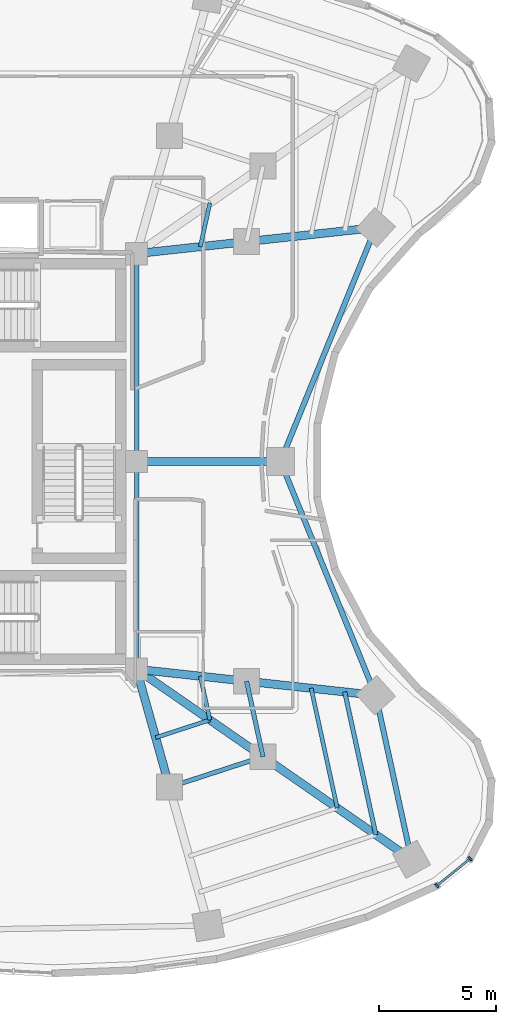
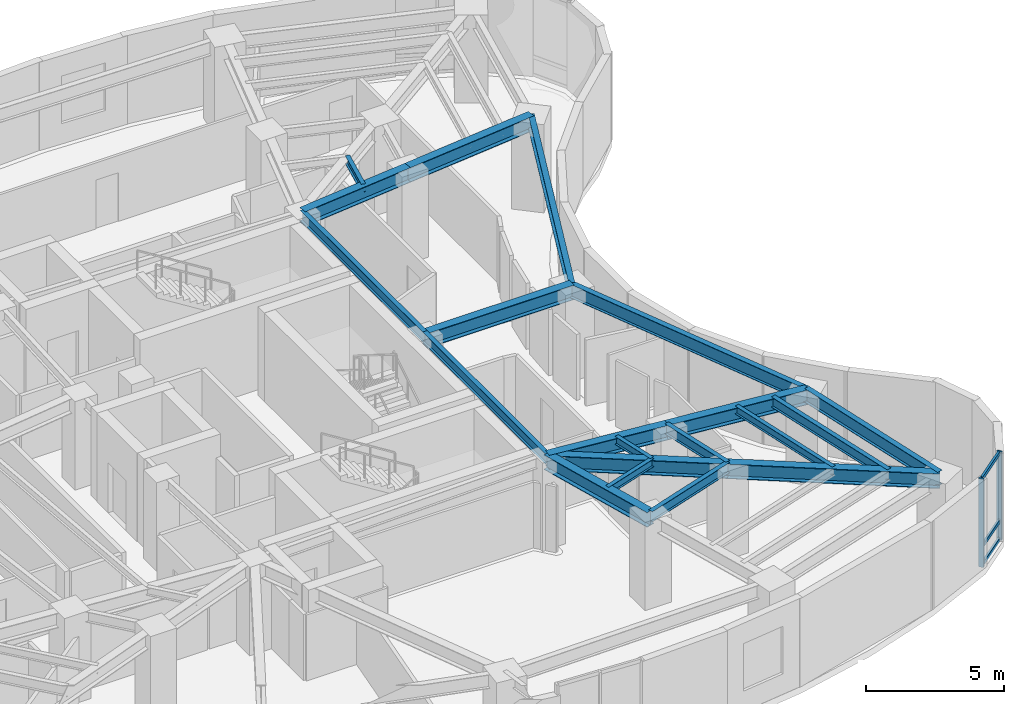
# One storey, part 4 of 14: 20 beams, 5 members, 1 element without a shape of its own.
"""IFC4 building model written with IfcOpenShell, lengths in metres."""

from ifc_helpers import new_model, si_unit, direction, frame, origin, origin_2d, place, context, subcontext, project, spatial, rectangle, i_section, extrude, material, layer, layer_set, material_profile, profile_set, type_object, element, aggregate, save


model = new_model("IFC4")

# Units and contexts
model_context = context("Model", 3, precision=1e-05, world=origin(), true_north=direction((0.0, 1.0)))
body_context = subcontext(model_context, "Body", "Model", "MODEL_VIEW")
ifc_project = project(units=[si_unit("LENGTHUNIT", "METRE"), si_unit("AREAUNIT", "SQUARE_METRE"), si_unit("VOLUMEUNIT", "CUBIC_METRE"), si_unit("PLANEANGLEUNIT", "RADIAN"), si_unit("MASSUNIT", "GRAM", prefix="KILO")], contexts=[model_context])

# Site, building, storey
site_placement = place(None, origin())
site = spatial("IfcSite", under=ifc_project, at=site_placement, CompositionType="ELEMENT")
building_placement = place(site_placement, origin())
building = spatial("IfcBuilding", under=site, at=building_placement, Name="Korentha Bioscience Tower", CompositionType="ELEMENT")
storey_placement = place(building_placement, frame((0.0, 0.0, 119.39990234375)))
storey = spatial("IfcBuildingStorey", under=building, at=storey_placement, Name="L27", CompositionType="ELEMENT", Elevation=119.39990234375)

# Beams
ifc_material_1 = material(Name="Steel S355", Category="steel")
ifc_material_profile_1 = material_profile(ifc_material_1, i_section(OverallWidth=0.18994140625, OverallDepth=0.45703125, WebThickness=0.009033203125, FlangeThickness=0.014404296875, at=origin_2d()), Name="Steel S355")
ifc_profile_set_1 = profile_set([ifc_material_profile_1], Name="Steel S355 (MB-460)")
beam_type_1 = type_object("IfcBeamType", Name="Mid-Ring Tie Girder W460x74", PredefinedType="BEAM", material=ifc_profile_set_1)
beam_1_placement = place(storey_placement, frame((38.954833984375, 13.129150390625, 3.671630859375), z_axis=(0.95087582253, 0.309572560361, 0.0), x_axis=(-0.309572560361, 0.95087582253, 0.0)))
element("IfcBeam", 1, at=beam_1_placement, inside=storey, type_object=beam_type_1, Name="L27 Mid-Ring Tie Girder 12", PredefinedType="BEAM", context=body_context, shape_type="SweptSolid", body=[
    extrude(i_section(OverallWidth=0.18994140625, OverallDepth=0.45703125, WebThickness=0.009033203125, FlangeThickness=0.014404296875, at=origin_2d()), origin(), (0.0, 0.0, 1.0), 4.186767578125),
])
beam_2_placement = place(storey_placement, frame((42.93603515625, 14.42529296875, 3.671630859375), z_axis=(-0.212928773299, 0.977067724112, 0.0), x_axis=(-0.977067724112, -0.212928773299, 0.0)))
element("IfcBeam", 2, at=beam_2_placement, inside=storey, type_object=beam_type_1, Name="L27 Mid-Ring Tie Girder 13", PredefinedType="BEAM", context=body_context, shape_type="SweptSolid", body=[
    extrude(i_section(OverallWidth=0.18994140625, OverallDepth=0.45703125, WebThickness=0.009033203125, FlangeThickness=0.014404296875, at=origin_2d()), origin(), (0.0, 0.0, 1.0), 3.28955078125),
])
for number, where, z_axis, x_axis, name in (
    (3, (37.550048828125, 18.14990234375, 3.671630859375), (0.0, 1.0, 0.0), (-1.0, 0.0, 0.0), "L27 Core Ring Tie Girder 06"),
    (4, (37.550048828125, 27.0, 3.671630859375), (0.0, 1.0, 0.0), (-1.0, 0.0, 0.0), "L27 Core Ring Tie Girder 07"),
):
    element("IfcBeam", number, at=place(storey_placement, frame(where, z_axis=z_axis, x_axis=x_axis)), inside=storey, type_object=beam_type_1, Name=name, PredefinedType="BEAM", context=body_context, shape_type="SweptSolid", body=[
        extrude(i_section(OverallWidth=0.18994140625, OverallDepth=0.45703125, WebThickness=0.009033203125, FlangeThickness=0.014404296875, at=origin_2d()), origin(), (0.0, 0.0, 1.0), 8.85009765625),
    ])

# Curtain wall, members
ifc_material_2 = material(Name="Thermally Broken Aluminium Frame", Category="aluminium")
ifc_layer = layer(ifc_material_2, 0.219970703125, Name="Thermally Broken Aluminium Frame")
ifc_layer_set = layer_set([ifc_layer], Name="Thermally Broken Aluminium Frame (CW-T1)")
curtain_wall_type = type_object("IfcCurtainWallType", Name="Standard Bioscience Lab Unitised Curtain Wall CW-T1", PredefinedType="USERDEFINED", material=ifc_layer_set)
curtain_wall_placement = place(storey_placement, origin())
curtain_wall = element("IfcCurtainWall", 5, at=curtain_wall_placement, inside=storey, type_object=curtain_wall_type, Name="L27 Curtain Wall 37", ObjectType="UNITISED", PredefinedType="USERDEFINED")
ifc_material_3 = material(Name="Anodised Aluminium 6063-T6", Category="aluminium")
ifc_material_profile_2 = material_profile(ifc_material_3, rectangle(XDim=0.090087890625, YDim=0.199951171875, at=origin_2d()), Name="Anodised Aluminium 6063-T6")
ifc_profile_set_2 = profile_set([ifc_material_profile_2], Name="Anodised Aluminium 6063-T6 (CW-MUL)")
member_type_1 = type_object("IfcMemberType", Name="Mullion RECT 90x200", PredefinedType="MULLION", material=ifc_profile_set_2)
member_1_placement = place(storey_placement, frame((50.337158203125, 8.931884765625, 0.0), z_axis=(0.0, 0.0, 1.0), x_axis=(0.777315301098, 0.629111216463, 0.0)))
member_1 = element("IfcMember", 6, at=member_1_placement, type_object=member_type_1, Name="CW-L27-37 Mullion 1", PredefinedType="MULLION", context=body_context, shape_type="SweptSolid", body=[
    extrude(rectangle(XDim=0.090087890625, YDim=0.199951171875, at=origin_2d()), origin(), (0.0, 0.0, 1.0), 3.900146484375),
])
member_2_placement = place(storey_placement, frame((51.7578125, 10.08154296875, 0.0), z_axis=(0.0, 0.0, 1.0), x_axis=(0.777315301098, 0.629111216463, 0.0)))
member_2 = element("IfcMember", 7, at=member_2_placement, type_object=member_type_1, Name="CW-L27-37 Mullion 2", PredefinedType="MULLION", context=body_context, shape_type="SweptSolid", body=[
    extrude(rectangle(XDim=0.090087890625, YDim=0.199951171875, at=origin_2d()), origin(), (0.0, 0.0, 1.0), 3.900146484375),
])

# Beams
ifc_material_profile_3 = material_profile(ifc_material_1, i_section(OverallWidth=0.22802734375, OverallDepth=0.60791015625, WebThickness=0.01123046875, FlangeThickness=0.017333984375, at=origin_2d()), Name="Steel S355")
ifc_profile_set_3 = profile_set([ifc_material_profile_3], Name="Steel S355 (SB-610)")
beam_type_2 = type_object("IfcBeamType", Name="Perimeter Ring Spandrel Girder W610x113", PredefinedType="SPANDREL", material=ifc_profile_set_3)
beam_3_placement = place(storey_placement, frame((49.2587890625, 10.052978515625, 3.59619140625), z_axis=(-0.212927102256, 0.977068088275, 0.0), x_axis=(-0.977068088275, -0.212927102256, 0.0)))
element("IfcBeam", 8, at=beam_3_placement, inside=storey, type_object=beam_type_2, Name="L27 Perimeter Spandrel Girder 13", PredefinedType="SPANDREL", context=body_context, shape_type="SweptSolid", body=[
    extrude(i_section(OverallWidth=0.22802734375, OverallDepth=0.60791015625, WebThickness=0.01123046875, FlangeThickness=0.017333984375, at=origin_2d()), origin(), (0.0, 0.0, 1.0), 7.1513671875),
])
for number, where, z_axis, x_axis, name in (
    (9, (47.736083984375, 17.040283203125, 3.59619140625), (-0.37709856037, 0.926173134876, 0.0), (-0.926173134876, -0.37709856037, 0.0), "L27 Perimeter Spandrel Girder 14"),
    (10, (43.680908203125, 27.0, 3.59619140625), (0.37709856037, 0.926173134876, 0.0), (-0.926173134876, 0.37709856037, 0.0), "L27 Perimeter Spandrel Girder 15"),
):
    element("IfcBeam", number, at=place(storey_placement, frame(where, z_axis=z_axis, x_axis=x_axis)), inside=storey, type_object=beam_type_2, Name=name, PredefinedType="SPANDREL", context=body_context, shape_type="SweptSolid", body=[
        extrude(i_section(OverallWidth=0.22802734375, OverallDepth=0.60791015625, WebThickness=0.01123046875, FlangeThickness=0.017333984375, at=origin_2d()), origin(), (0.0, 0.0, 1.0), 10.753662109375),
    ])
ifc_material_profile_4 = material_profile(ifc_material_1, i_section(OverallWidth=0.18994140625, OverallDepth=0.45703125, WebThickness=0.009033203125, FlangeThickness=0.014404296875, at=origin_2d()), Name="Steel S355")
ifc_profile_set_4 = profile_set([ifc_material_profile_4], Name="Steel S355 (RB-460)")
beam_type_3 = type_object("IfcBeamType", Name="Radial Laboratory Beam W460x74", PredefinedType="BEAM", material=ifc_profile_set_4)
beam_4_placement = place(storey_placement, frame((47.7412109375, 11.1025390625, 3.671630859375), z_axis=(-0.21290837934, 0.977072168269, 0.0), x_axis=(-0.977072168269, -0.21290837934, 0.0)))
element("IfcBeam", 11, at=beam_4_placement, inside=storey, type_object=beam_type_3, Name="L27 Secondary Floor Beam JSTO-13", PredefinedType="BEAM", context=body_context, shape_type="SweptSolid", body=[
    extrude(i_section(OverallWidth=0.18994140625, OverallDepth=0.45703125, WebThickness=0.009033203125, FlangeThickness=0.014404296875, at=origin_2d()), origin(), (0.0, 0.0, 1.0), 6.224365234375),
])
ifc_material_profile_5 = material_profile(ifc_material_1, i_section(OverallWidth=0.35009765625, OverallDepth=0.64990234375, WebThickness=0.01611328125, FlangeThickness=0.02490234375, at=origin_2d()), Name="Steel S355")
ifc_profile_set_5 = profile_set([ifc_material_profile_5], Name="Steel S355 (RB-650)")
beam_type_4 = type_object("IfcBeamType", Name="Radial Laboratory Girder CVS 650x208", PredefinedType="BEAM", material=ifc_profile_set_5)
beam_5_placement = place(storey_placement, frame((37.550048828125, 18.14990234375, 3.5751953125), z_axis=(0.269447542125, -0.96301506844, 0.0), x_axis=(0.96301506844, 0.269447542125, 0.0)))
element("IfcBeam", 12, at=beam_5_placement, inside=storey, type_object=beam_type_4, Name="L27 Inner Radial Girder 12", PredefinedType="BEAM", context=body_context, shape_type="SweptSolid", body=[
    extrude(i_section(OverallWidth=0.35009765625, OverallDepth=0.64990234375, WebThickness=0.01611328125, FlangeThickness=0.02490234375, at=origin_2d()), origin(), (0.0, 0.0, 1.0), 5.213623046875),
])
beam_6_placement = place(storey_placement, frame((37.550048828125, 18.14990234375, 3.5751953125), z_axis=(0.822488699387, -0.568781451333, 0.0), x_axis=(0.568781451333, 0.822488699387, 0.0)))
element("IfcBeam", 13, at=beam_6_placement, inside=storey, type_object=beam_type_4, Name="L27 Inner Radial Girder 13", PredefinedType="BEAM", context=body_context, shape_type="SweptSolid", body=[
    extrude(i_section(OverallWidth=0.35009765625, OverallDepth=0.64990234375, WebThickness=0.01611328125, FlangeThickness=0.02490234375, at=origin_2d()), origin(), (0.0, 0.0, 1.0), 6.54833984375),
])
beam_7_placement = place(storey_placement, frame((42.93603515625, 14.42529296875, 3.5751953125), z_axis=(0.822495056204, -0.568772258922, 0.0), x_axis=(0.568772258922, 0.822495056204, 0.0)))
element("IfcBeam", 14, at=beam_7_placement, inside=storey, type_object=beam_type_4, Name="L27 Outer Radial Girder 13", PredefinedType="BEAM", context=body_context, shape_type="SweptSolid", body=[
    extrude(i_section(OverallWidth=0.35009765625, OverallDepth=0.64990234375, WebThickness=0.01611328125, FlangeThickness=0.02490234375, at=origin_2d()), origin(), (0.0, 0.0, 1.0), 7.687255859375),
])
beam_8_placement = place(storey_placement, frame((37.550048828125, 18.14990234375, 3.5751953125), z_axis=(0.994117092476, -0.108310694058, 0.0), x_axis=(0.108310694058, 0.994117092476, 0.0)))
element("IfcBeam", 15, at=beam_8_placement, inside=storey, type_object=beam_type_4, Name="L27 Inner Radial Girder 14", PredefinedType="BEAM", context=body_context, shape_type="SweptSolid", body=[
    extrude(i_section(OverallWidth=0.35009765625, OverallDepth=0.64990234375, WebThickness=0.01611328125, FlangeThickness=0.02490234375, at=origin_2d()), origin(), (0.0, 0.0, 1.0), 4.71337890625),
])
beam_9_placement = place(storey_placement, frame((42.235595703125, 17.639404296875, 3.5751953125), z_axis=(0.994120325557, -0.108281015487, 0.0), x_axis=(0.108281015487, 0.994120325557, 0.0)))
element("IfcBeam", 16, at=beam_9_placement, inside=storey, type_object=beam_type_4, Name="L27 Outer Radial Girder 14", PredefinedType="BEAM", context=body_context, shape_type="SweptSolid", body=[
    extrude(i_section(OverallWidth=0.35009765625, OverallDepth=0.64990234375, WebThickness=0.01611328125, FlangeThickness=0.02490234375, at=origin_2d()), origin(), (0.0, 0.0, 1.0), 5.532958984375),
])
beam_10_placement = place(storey_placement, frame((37.550048828125, 27.0, 3.5751953125), z_axis=(1.0, 0.0, 0.0), x_axis=(0.0, 1.0, 0.0)))
element("IfcBeam", 17, at=beam_10_placement, inside=storey, type_object=beam_type_4, Name="L27 Radial Girder 15", PredefinedType="BEAM", context=body_context, shape_type="SweptSolid", body=[
    extrude(i_section(OverallWidth=0.35009765625, OverallDepth=0.64990234375, WebThickness=0.01611328125, FlangeThickness=0.02490234375, at=origin_2d()), origin(), (0.0, 0.0, 1.0), 6.130859375),
])
beam_11_placement = place(storey_placement, frame((37.550048828125, 35.85009765625, 3.5751953125), z_axis=(0.994117092476, 0.108310694058, 0.0), x_axis=(-0.108310694058, 0.994117092476, 0.0)))
element("IfcBeam", 18, at=beam_11_placement, inside=storey, type_object=beam_type_4, Name="L27 Inner Radial Girder 16", PredefinedType="BEAM", context=body_context, shape_type="SweptSolid", body=[
    extrude(i_section(OverallWidth=0.35009765625, OverallDepth=0.64990234375, WebThickness=0.01611328125, FlangeThickness=0.02490234375, at=origin_2d()), origin(), (0.0, 0.0, 1.0), 4.71337890625),
])
beam_12_placement = place(storey_placement, frame((42.235595703125, 36.360595703125, 3.5751953125), z_axis=(0.994120325557, 0.108281015487, 0.0), x_axis=(-0.108281015487, 0.994120325557, 0.0)))
element("IfcBeam", 19, at=beam_12_placement, inside=storey, type_object=beam_type_4, Name="L27 Outer Radial Girder 16", PredefinedType="BEAM", context=body_context, shape_type="SweptSolid", body=[
    extrude(i_section(OverallWidth=0.35009765625, OverallDepth=0.64990234375, WebThickness=0.01611328125, FlangeThickness=0.02490234375, at=origin_2d()), origin(), (0.0, 0.0, 1.0), 5.532958984375),
])
ifc_material_profile_6 = material_profile(ifc_material_1, i_section(OverallWidth=0.1708984375, OverallDepth=0.35498046875, WebThickness=0.007080078125, FlangeThickness=0.01171875, at=origin_2d()), Name="Steel S355")
ifc_profile_set_6 = profile_set([ifc_material_profile_6], Name="Steel S355 (JB-360)")
beam_type_5 = type_object("IfcBeamType", Name="Secondary Laboratory Joist W360x51", PredefinedType="JOIST", material=ifc_profile_set_6)
beam_13_placement = place(storey_placement, frame((38.36474609375, 15.23779296875, 3.72265625), z_axis=(0.950852158547, 0.30964523666, 0.0), x_axis=(-0.30964523666, 0.950852158547, 0.0)))
element("IfcBeam", 20, at=beam_13_placement, inside=storey, type_object=beam_type_5, Name="L27 Inner Bay Joist 12", PredefinedType="JOIST", context=body_context, shape_type="SweptSolid", body=[
    extrude(i_section(OverallWidth=0.1708984375, OverallDepth=0.35498046875, WebThickness=0.007080078125, FlangeThickness=0.01171875, at=origin_2d()), origin(), (0.0, 0.0, 1.0), 2.428466796875),
])
beam_14_placement = place(storey_placement, frame((46.097412109375, 12.2392578125, 3.72265625), z_axis=(-0.212932493609, 0.977066913351, 0.0), x_axis=(-0.977066913351, -0.212932493609, 0.0)))
element("IfcBeam", 21, at=beam_14_placement, inside=storey, type_object=beam_type_5, Name="L27 Secondary Floor Beam JST-13", PredefinedType="JOIST", context=body_context, shape_type="SweptSolid", body=[
    extrude(i_section(OverallWidth=0.1708984375, OverallDepth=0.35498046875, WebThickness=0.007080078125, FlangeThickness=0.01171875, at=origin_2d()), origin(), (0.0, 0.0, 1.0), 5.22021484375),
])
for number, where, z_axis, x_axis, name in (
    (22, (40.673828125, 15.98974609375, 3.72265625), (-0.212918344001, 0.977069996872, 0.0), (-0.977069996872, -0.212918344001, 0.0), "L27 Inner Bay Joist 13"),
    (23, (40.267578125, 36.14599609375, 3.72265625), (0.212918344001, 0.977069996872, 0.0), (-0.977069996872, 0.212918344001, 0.0), "L27 Inner Bay Joist 16"),
):
    element("IfcBeam", number, at=place(storey_placement, frame(where, z_axis=z_axis, x_axis=x_axis)), inside=storey, type_object=beam_type_5, Name=name, PredefinedType="JOIST", context=body_context, shape_type="SweptSolid", body=[
        extrude(i_section(OverallWidth=0.1708984375, OverallDepth=0.35498046875, WebThickness=0.007080078125, FlangeThickness=0.01171875, at=origin_2d()), origin(), (0.0, 0.0, 1.0), 1.907958984375),
    ])

# Member
ifc_material_profile_7 = material_profile(ifc_material_3, rectangle(XDim=0.090087890625, YDim=0.159912109375, at=origin_2d()), Name="Anodised Aluminium 6063-T6")
ifc_profile_set_7 = profile_set([ifc_material_profile_7], Name="Anodised Aluminium 6063-T6 (CW-TRN)")
member_type_2 = type_object("IfcMemberType", Name="Transom RECT 90x160", PredefinedType="USERDEFINED", material=ifc_profile_set_7)
member_3_placement = place(storey_placement, frame((50.3720703125, 8.960205078125, 0.045166015625), z_axis=(0.777333214738, 0.629089082137, 0.0), x_axis=(-0.629089082137, 0.777333214738, 0.0)))
member_3 = element("IfcMember", 24, at=member_3_placement, type_object=member_type_2, Name="CW-L27-37 Bay 1 Transom 1", ObjectType="TRANSOM", PredefinedType="USERDEFINED", context=body_context, shape_type="SweptSolid", body=[
    extrude(rectangle(XDim=0.090087890625, YDim=0.159912109375, at=origin_2d()), origin(), (0.0, 0.0, 1.0), 1.737548828125),
])

member_4_placement = place(storey_placement, frame((50.3720703125, 8.960205078125, 0.85009765625), z_axis=(0.777333214738, 0.629089082137, 0.0), x_axis=(-0.629089082137, 0.777333214738, 0.0)))
member_4 = element("IfcMember", 25, at=member_4_placement, type_object=member_type_2, Name="CW-L27-37 Bay 1 Transom 2", ObjectType="TRANSOM", PredefinedType="USERDEFINED", context=body_context, shape_type="SweptSolid", body=[
    extrude(rectangle(XDim=0.090087890625, YDim=0.159912109375, at=origin_2d()), origin(), (0.0, 0.0, 1.0), 1.737548828125),
])

member_5_placement = place(storey_placement, frame((50.3720703125, 8.960205078125, 3.85498046875), z_axis=(0.777333214738, 0.629089082137, 0.0), x_axis=(-0.629089082137, 0.777333214738, 0.0)))
member_5 = element("IfcMember", 26, at=member_5_placement, type_object=member_type_2, Name="CW-L27-37 Bay 1 Transom 3", ObjectType="TRANSOM", PredefinedType="USERDEFINED", context=body_context, shape_type="SweptSolid", body=[
    extrude(rectangle(XDim=0.090087890625, YDim=0.159912109375, at=origin_2d()), origin(), (0.0, 0.0, 1.0), 1.737548828125),
])

aggregate(curtain_wall, [member_1, member_2, member_3, member_4, member_5])

save(model, "model.ifc")
